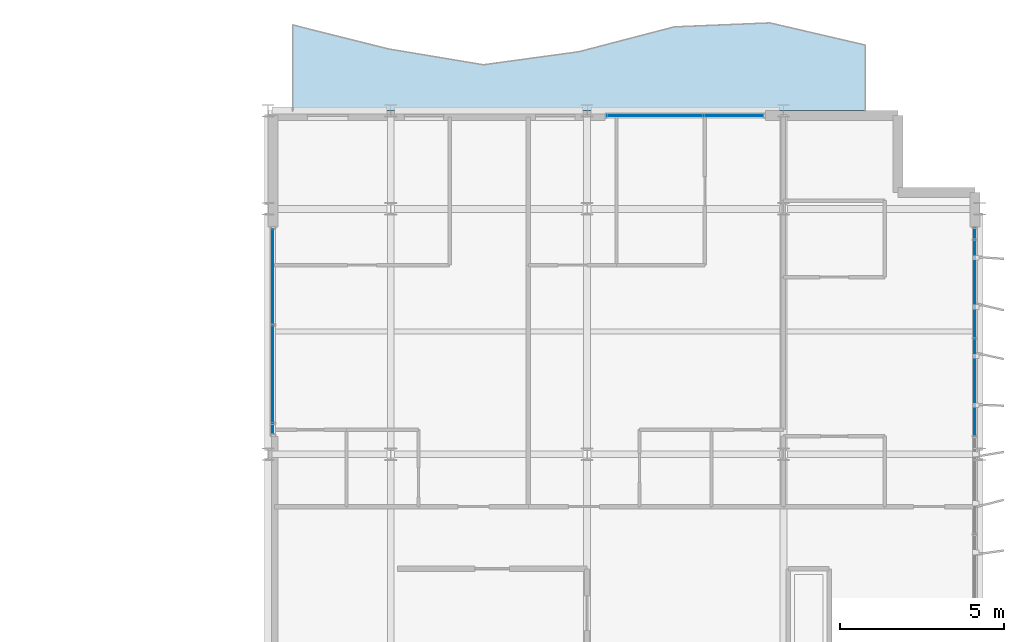
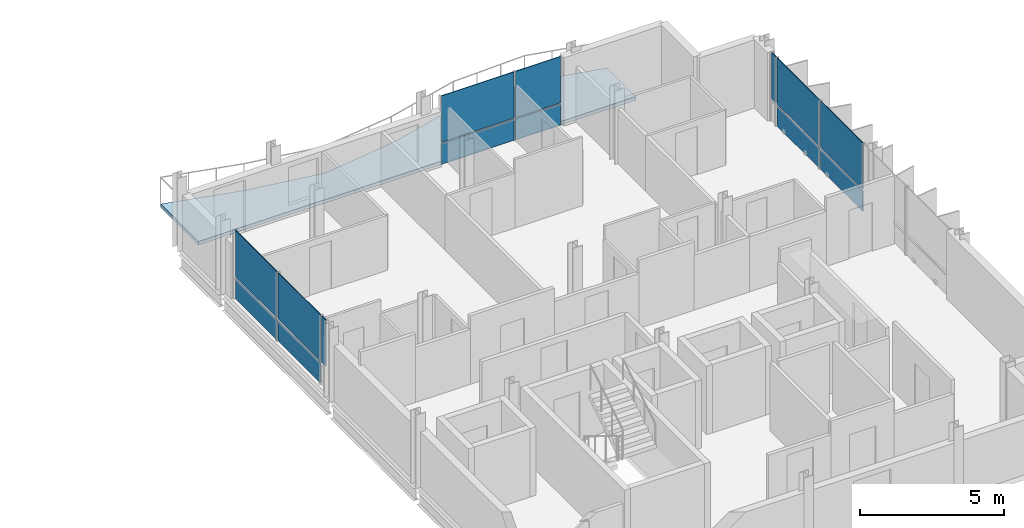
# One storey, part 19 of 30: 14 plates, 1 slab, 3 elements without a shape of their own.
"""IFC4 building model written with IfcOpenShell, lengths in metres."""

from ifc_helpers import new_model, si_unit, direction, frame, origin, origin_2d, place, context, subcontext, project, spatial, polyline, rectangle, outline, extrude, material, layer, layer_set, type_object, element, aggregate, save


model = new_model("IFC4")

# Units and contexts
model_context = context("Model", 3, precision=1e-05, world=origin(), true_north=direction((0.0, 1.0)))
body_context = subcontext(model_context, "Body", "Model", "MODEL_VIEW")
ifc_project = project(units=[si_unit("LENGTHUNIT", "METRE"), si_unit("AREAUNIT", "SQUARE_METRE"), si_unit("VOLUMEUNIT", "CUBIC_METRE"), si_unit("PLANEANGLEUNIT", "RADIAN"), si_unit("MASSUNIT", "GRAM", prefix="KILO")], contexts=[model_context])

# Site, building, storey
site_placement = place(None, origin())
site = spatial("IfcSite", under=ifc_project, at=site_placement, CompositionType="ELEMENT")
building_placement = place(site_placement, origin())
building = spatial("IfcBuilding", under=site, at=building_placement, Name="Brevholm Reach", CompositionType="ELEMENT")
storey_placement = place(building_placement, frame((0.0, 0.0, 204.89990234375)))
storey = spatial("IfcBuildingStorey", under=building, at=storey_placement, Name="L62", CompositionType="ELEMENT", Elevation=204.89990234375)

# Curtain wall, plates
ifc_material_1 = material(Name="Dark Anodised Aluminium 6063-T6 and Solar-Control Glass", Category="aluminium")
ifc_layer_1 = layer(ifc_material_1, 0.1650390625)
ifc_layer_set_1 = layer_set([ifc_layer_1], Name="Dark Anodised Aluminium 6063-T6 and Solar-Control Glass")
curtain_wall_type_1 = type_object("IfcCurtainWallType", Name="CW-04", PredefinedType="NOTDEFINED", material=ifc_layer_set_1)
curtain_wall_1_placement = place(storey_placement, origin())
curtain_wall_1 = element("IfcCurtainWall", 1, at=curtain_wall_1_placement, inside=storey, type_object=curtain_wall_type_1, Name="L62 Curtain Wall CW-04", PredefinedType="NOTDEFINED")
ifc_material_2 = material(Name="Dark Solar-Control Double-Glazed IGU Glass", Category="glass")
ifc_layer_2 = layer(ifc_material_2, 0.028076171875)
ifc_layer_set_2 = layer_set([ifc_layer_2], Name="Dark Solar-Control Double-Glazed IGU Glass")
plate_type = type_object("IfcPlateType", Name="CWP-GLZ-28", PredefinedType="CURTAIN_PANEL", material=ifc_layer_set_2)
plate_1_placement = place(storey_placement, frame((38.39990234375, 21.4326171875, 0.0), z_axis=(0.0, 0.0, 1.0), x_axis=(0.0, -1.0, 0.0)))
plate_1 = element("IfcPlate", 2, at=plate_1_placement, type_object=plate_type, Name="CP-01 Glazing Panel 1.1", PredefinedType="CURTAIN_PANEL", context=body_context, shape_type="SweptSolid", body=[
    extrude(rectangle(XDim=2.89501953125, YDim=0.028076171875, at=origin_2d()), origin(), (0.0, 0.0, 1.0), 0.864990234375),
])
plate_2_placement = place(storey_placement, frame((38.39990234375, 21.4326171875, 0.93505859375), z_axis=(0.0, 0.0, 1.0), x_axis=(0.0, -1.0, 0.0)))
plate_2 = element("IfcPlate", 3, at=plate_2_placement, type_object=plate_type, Name="CP-01 Glazing Panel 1.2", PredefinedType="CURTAIN_PANEL", context=body_context, shape_type="SweptSolid", body=[
    extrude(rectangle(XDim=2.89501953125, YDim=0.028076171875, at=origin_2d()), origin(), (0.0, 0.0, 1.0), 1.955078125),
])
plate_3_placement = place(storey_placement, frame((38.39990234375, 18.449951171875, 0.0), z_axis=(0.0, 0.0, 1.0), x_axis=(0.0, -1.0, 0.0)))
plate_3 = element("IfcPlate", 4, at=plate_3_placement, type_object=plate_type, Name="CP-01 Glazing Panel 2.1", PredefinedType="CURTAIN_PANEL", context=body_context, shape_type="SweptSolid", body=[
    extrude(rectangle(XDim=2.929931640625, YDim=0.028076171875, at=origin_2d()), origin(), (0.0, 0.0, 1.0), 0.864990234375),
])
plate_4_placement = place(storey_placement, frame((38.39990234375, 18.449951171875, 0.93505859375), z_axis=(0.0, 0.0, 1.0), x_axis=(0.0, -1.0, 0.0)))
plate_4 = element("IfcPlate", 5, at=plate_4_placement, type_object=plate_type, Name="CP-01 Glazing Panel 2.2", PredefinedType="CURTAIN_PANEL", context=body_context, shape_type="SweptSolid", body=[
    extrude(rectangle(XDim=2.929931640625, YDim=0.028076171875, at=origin_2d()), origin(), (0.0, 0.0, 1.0), 1.955078125),
])
plate_5_placement = place(storey_placement, frame((38.39990234375, 16.767578125, 0.93505859375), z_axis=(0.0, 0.0, 1.0), x_axis=(0.0, -1.0, 0.0)))
plate_5 = element("IfcPlate", 6, at=plate_5_placement, type_object=plate_type, Name="CP-01 Glazing Panel 3.2", PredefinedType="CURTAIN_PANEL", context=body_context, shape_type="SweptSolid", body=[
    extrude(rectangle(XDim=0.294921875, YDim=0.028076171875, at=origin_2d()), origin(), (0.0, 0.0, 1.0), 1.955078125),
])
aggregate(curtain_wall_1, [plate_1, plate_2, plate_3, plate_4, plate_5])

ifc_material_3 = material(Name="Dark Anodised Aluminium 6063-T6 and Solar-Control Glass", Category="aluminium")
ifc_layer_3 = layer(ifc_material_3, 0.14990234375)
ifc_layer_set_3 = layer_set([ifc_layer_3], Name="Dark Anodised Aluminium 6063-T6 and Solar-Control Glass")
curtain_wall_type_2 = type_object("IfcCurtainWallType", Name="CW-01", PredefinedType="NOTDEFINED", material=ifc_layer_set_3)
curtain_wall_2_placement = place(storey_placement, origin())
curtain_wall_2 = element("IfcCurtainWall", 7, at=curtain_wall_2_placement, inside=storey, type_object=curtain_wall_type_2, Name="L62 Curtain Wall CW-01", PredefinedType="NOTDEFINED")
plate_6_placement = place(storey_placement, frame((59.85009765625, 18.050048828125, 0.0), z_axis=(0.0, 0.0, 1.0), x_axis=(0.0, 1.0, 0.0)))
plate_6 = element("IfcPlate", 8, at=plate_6_placement, type_object=plate_type, Name="CP-01 Glazing Panel 3.1", PredefinedType="CURTAIN_PANEL", context=body_context, shape_type="SweptSolid", body=[
    extrude(rectangle(XDim=2.93505859375, YDim=0.028076171875, at=origin_2d()), origin(), (0.0, 0.0, 1.0), 0.867431640625),
])
plate_7_placement = place(storey_placement, frame((59.85009765625, 18.050048828125, 0.9326171875), z_axis=(0.0, 0.0, 1.0), x_axis=(0.0, 1.0, 0.0)))
plate_7 = element("IfcPlate", 9, at=plate_7_placement, type_object=plate_type, Name="CP-01 Glazing Panel 3.2", PredefinedType="CURTAIN_PANEL", context=body_context, shape_type="SweptSolid", body=[
    extrude(rectangle(XDim=2.93505859375, YDim=0.028076171875, at=origin_2d()), origin(), (0.0, 0.0, 1.0), 1.95751953125),
])
plate_8_placement = place(storey_placement, frame((59.85009765625, 21.050048828125, 0.0), z_axis=(0.0, 0.0, 1.0), x_axis=(0.0, 1.0, 0.0)))
plate_8 = element("IfcPlate", 10, at=plate_8_placement, type_object=plate_type, Name="CP-01 Glazing Panel 4.1", PredefinedType="CURTAIN_PANEL", context=body_context, shape_type="SweptSolid", body=[
    extrude(rectangle(XDim=2.93505859375, YDim=0.028076171875, at=origin_2d()), origin(), (0.0, 0.0, 1.0), 0.867431640625),
])
plate_9_placement = place(storey_placement, frame((59.85009765625, 21.050048828125, 0.9326171875), z_axis=(0.0, 0.0, 1.0), x_axis=(0.0, 1.0, 0.0)))
plate_9 = element("IfcPlate", 11, at=plate_9_placement, type_object=plate_type, Name="CP-01 Glazing Panel 4.2", PredefinedType="CURTAIN_PANEL", context=body_context, shape_type="SweptSolid", body=[
    extrude(rectangle(XDim=2.93505859375, YDim=0.028076171875, at=origin_2d()), origin(), (0.0, 0.0, 1.0), 1.95751953125),
])
plate_10_placement = place(storey_placement, frame((59.85009765625, 22.733642578125, 0.9326171875), z_axis=(0.0, 0.0, 1.0), x_axis=(0.0, 1.0, 0.0)))
plate_10 = element("IfcPlate", 12, at=plate_10_placement, type_object=plate_type, Name="CP-01 Glazing Panel 5.2", PredefinedType="CURTAIN_PANEL", context=body_context, shape_type="SweptSolid", body=[
    extrude(rectangle(XDim=0.302490234375, YDim=0.028076171875, at=origin_2d()), origin(), (0.0, 0.0, 1.0), 1.95751953125),
])
aggregate(curtain_wall_2, [plate_6, plate_7, plate_8, plate_9, plate_10])

curtain_wall_3_placement = place(storey_placement, origin())
curtain_wall_3 = element("IfcCurtainWall", 13, at=curtain_wall_3_placement, inside=storey, type_object=curtain_wall_type_2, Name="L62 Curtain Wall CW-01", PredefinedType="NOTDEFINED")
plate_11_placement = place(storey_placement, frame((50.066162109375, 26.35009765625, 0.0), z_axis=(0.0, 0.0, 1.0), x_axis=(1.0, 0.0, 0.0)))
plate_11 = element("IfcPlate", 14, at=plate_11_placement, type_object=plate_type, Name="CP-01 Glazing Panel 1.1", PredefinedType="CURTAIN_PANEL", context=body_context, shape_type="SweptSolid", body=[
    extrude(rectangle(XDim=2.902587890625, YDim=0.028076171875, at=origin_2d()), origin(), (0.0, 0.0, 1.0), 0.867431640625),
])
plate_12_placement = place(storey_placement, frame((50.066162109375, 26.35009765625, 0.9326171875), z_axis=(0.0, 0.0, 1.0), x_axis=(1.0, 0.0, 0.0)))
plate_12 = element("IfcPlate", 15, at=plate_12_placement, type_object=plate_type, Name="CP-01 Glazing Panel 1.2", PredefinedType="CURTAIN_PANEL", context=body_context, shape_type="SweptSolid", body=[
    extrude(rectangle(XDim=2.902587890625, YDim=0.028076171875, at=origin_2d()), origin(), (0.0, 0.0, 1.0), 1.95751953125),
])
plate_13_placement = place(storey_placement, frame((52.483642578125, 26.35009765625, 0.0), z_axis=(0.0, 0.0, 1.0), x_axis=(1.0, 0.0, 0.0)))
plate_13 = element("IfcPlate", 16, at=plate_13_placement, type_object=plate_type, Name="CP-01 Glazing Panel 2.1", PredefinedType="CURTAIN_PANEL", context=body_context, shape_type="SweptSolid", body=[
    extrude(rectangle(XDim=1.802490234375, YDim=0.028076171875, at=origin_2d()), origin(), (0.0, 0.0, 1.0), 0.867431640625),
])
plate_14_placement = place(storey_placement, frame((52.483642578125, 26.35009765625, 0.9326171875), z_axis=(0.0, 0.0, 1.0), x_axis=(1.0, 0.0, 0.0)))
plate_14 = element("IfcPlate", 17, at=plate_14_placement, type_object=plate_type, Name="CP-01 Glazing Panel 2.2", PredefinedType="CURTAIN_PANEL", context=body_context, shape_type="SweptSolid", body=[
    extrude(rectangle(XDim=1.802490234375, YDim=0.028076171875, at=origin_2d()), origin(), (0.0, 0.0, 1.0), 1.95751953125),
])
aggregate(curtain_wall_3, [plate_11, plate_12, plate_13, plate_14])

# Slab
ifc_material_4 = material(Name="Precast Concrete C45/55", Category="concrete")
ifc_layer_4 = layer(ifc_material_4, 0.14990234375)
ifc_layer_set_4 = layer_set([ifc_layer_4], Name="Precast Concrete C45/55")
slab_type = type_object("IfcSlabType", Name="SLB-BAL-150", PredefinedType="FLOOR", material=ifc_layer_set_4)
slab_placement = place(storey_placement, frame((0.0, 0.0, -0.14990234375)))
element("IfcSlab", 18, at=slab_placement, inside=storey, type_object=slab_type, Name="L62 Rippling External Balcony NE", PredefinedType="FLOOR", context=body_context, shape_type="SweptSolid", body=[
    extrude(outline(polyline([(39.0, 26.5), (56.5, 26.5), (56.5, 28.50439453125), (53.583251953125, 29.181640625), (50.666748046875, 29.060546875), (47.75, 28.300537109375), (44.833251953125, 27.901611328125), (41.916748046875, 28.388916015625), (39.0, 29.12109375), (39.0, 26.5)])), origin(), (0.0, 0.0, 1.0), 0.14990234375),
])

save(model, "model.ifc")
